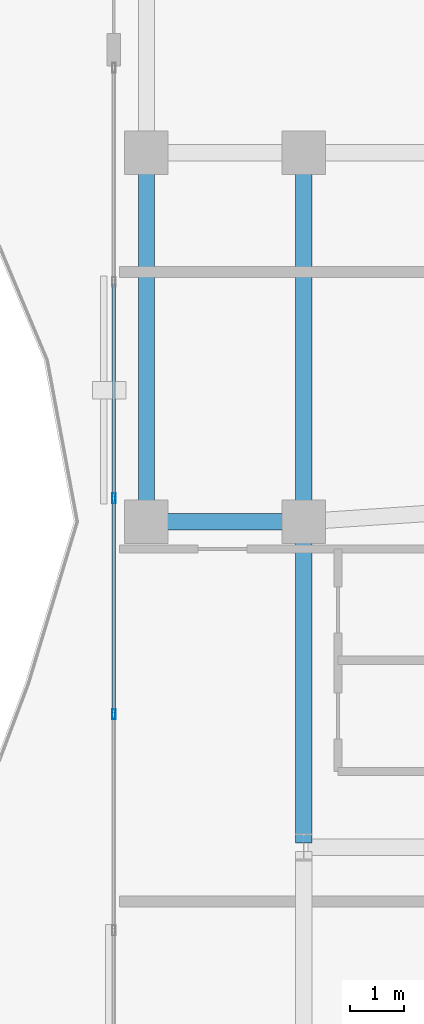
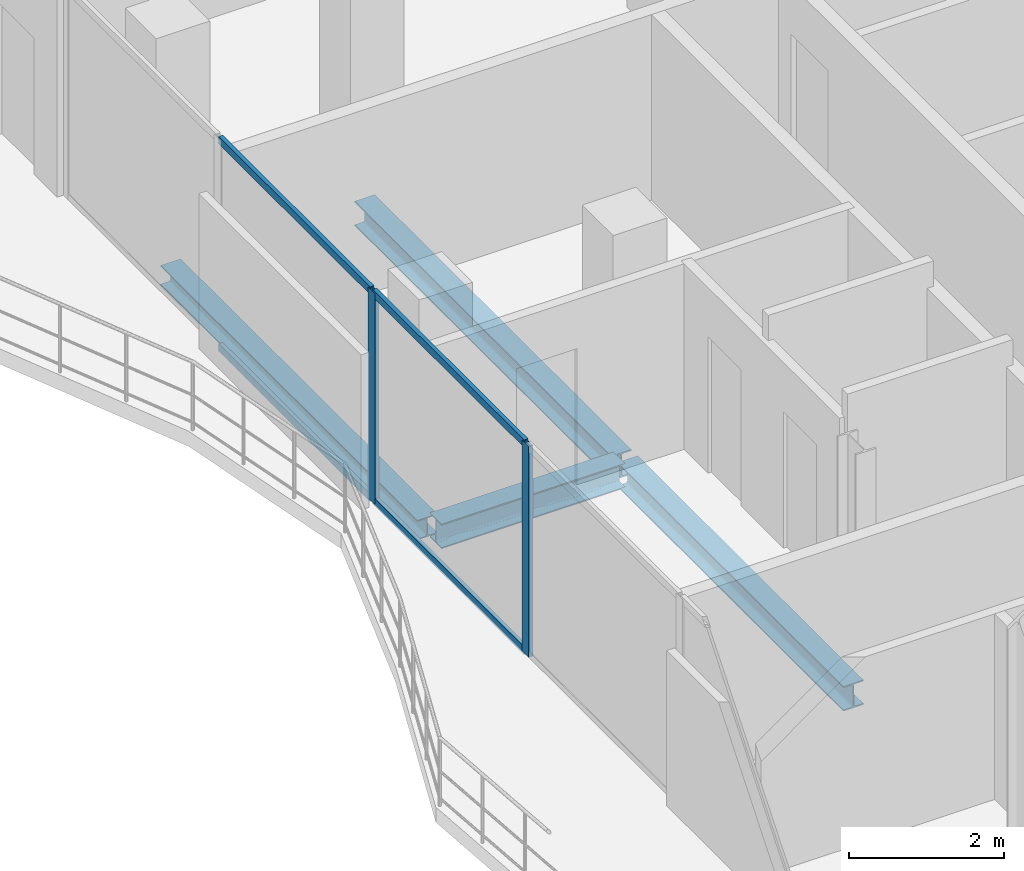
# One storey, part 7 of 23: 6 members, 4 beams, 1 element without a shape of its own.
"""IFC4 building model written with IfcOpenShell, lengths in metres."""

from ifc_helpers import new_model, si_unit, direction, frame, origin, origin_2d, place, context, subcontext, project, spatial, hollow_rectangle, i_section, extrude, material, layer, layer_set, material_profile, profile_set, type_object, element, aggregate, save


model = new_model("IFC4")

# Units and contexts
model_context = context("Model", 3, precision=1e-05, world=origin(), true_north=direction((0.0, 1.0)))
body_context = subcontext(model_context, "Body", "Model", "MODEL_VIEW")
ifc_project = project(units=[si_unit("LENGTHUNIT", "METRE"), si_unit("AREAUNIT", "SQUARE_METRE"), si_unit("VOLUMEUNIT", "CUBIC_METRE"), si_unit("PLANEANGLEUNIT", "RADIAN"), si_unit("MASSUNIT", "GRAM", prefix="KILO")], contexts=[model_context])

# Site, building, storey
site_placement = place(None, origin())
site = spatial("IfcSite", under=ifc_project, at=site_placement, CompositionType="ELEMENT")
building_placement = place(site_placement, origin())
building = spatial("IfcBuilding", under=site, at=building_placement, Name="Catumbela Crestline Tower", CompositionType="ELEMENT")
storey_placement = place(building_placement, frame((0.0, 0.0, 165.0)))
storey = spatial("IfcBuildingStorey", under=building, at=storey_placement, Name="L42", CompositionType="ELEMENT", Elevation=165.0)

# Beams
ifc_material_1 = material(Name="Structural steel S355J2", Category="steel")
ifc_material_profile_1 = material_profile(ifc_material_1, i_section(OverallWidth=0.3, OverallDepth=0.39, WebThickness=0.011, FlangeThickness=0.019, FilletRadius=0.027, at=origin_2d()), Name="HEA 400")
ifc_profile_set_1 = profile_set([ifc_material_profile_1], Name="Structural steel S355J2")
beam_type_1 = type_object("IfcBeamType", Name="BG-HEA400", PredefinedType="BEAM", material=ifc_profile_set_1)
beam_1_placement = place(storey_placement, frame((5.68, 24.0, -0.455), z_axis=(1.0, 0.0, 0.0), x_axis=(0.0, 1.0, 0.0)))
element("IfcBeam", 1, at=beam_1_placement, inside=storey, type_object=beam_type_1, Name="L42 Beam BM-L42-S01", PredefinedType="BEAM", context=body_context, shape_type="SweptSolid", body=[
    extrude(i_section(OverallWidth=0.3, OverallDepth=0.39, WebThickness=0.011, FlangeThickness=0.019, FilletRadius=0.027, at=origin_2d()), origin(), (0.0, 0.0, 1.0), 2.74),
])
beam_2_placement = place(storey_placement, frame((8.5, 24.08, -0.455), z_axis=(0.0, 1.0, 0.0), x_axis=(-1.0, 0.0, 0.0)))
element("IfcBeam", 2, at=beam_2_placement, inside=storey, type_object=beam_type_1, Name="L42 Beam BM-L42-SN16", PredefinedType="BEAM", context=body_context, shape_type="SweptSolid", body=[
    extrude(i_section(OverallWidth=0.3, OverallDepth=0.39, WebThickness=0.011, FlangeThickness=0.019, FilletRadius=0.027, at=origin_2d()), origin(), (0.0, 0.0, 1.0), 6.64),
])
beam_3_placement = place(storey_placement, frame((8.5, 18.08, -0.455), z_axis=(0.0, 1.0, 0.0), x_axis=(-1.0, 0.0, 0.0)))
element("IfcBeam", 3, at=beam_3_placement, inside=storey, type_object=beam_type_1, Name="L42 Beam BM-L42-WNS39", PredefinedType="BEAM", context=body_context, shape_type="SweptSolid", body=[
    extrude(i_section(OverallWidth=0.3, OverallDepth=0.39, WebThickness=0.011, FlangeThickness=0.019, FilletRadius=0.027, at=origin_2d()), origin(), (0.0, 0.0, 1.0), 5.84),
])

# Curtain wall, members
ifc_material_2 = material(Name="Aluminium alloy AW-6060-T66", Category="aluminium")
ifc_layer = layer(ifc_material_2, 0.18, Name="Aluminium alloy AW-6060-T66")
ifc_layer_set = layer_set([ifc_layer], Name="Aluminium alloy AW-6060-T66")
curtain_wall_type = type_object("IfcCurtainWallType", Name="CWU-Z3", PredefinedType="USERDEFINED", material=ifc_layer_set)
curtain_wall_placement = place(storey_placement, origin())
curtain_wall = element("IfcCurtainWall", 4, at=curtain_wall_placement, inside=storey, type_object=curtain_wall_type, Name="L42 Unitised Curtain Wall CW-L42-E9S2", ObjectType="UNITISED", PredefinedType="USERDEFINED")
ifc_material_profile_2 = material_profile(ifc_material_2, hollow_rectangle(XDim=0.065, YDim=0.18, WallThickness=0.004, at=origin_2d()), Name="ALU 180x65x4")
ifc_profile_set_2 = profile_set([ifc_material_profile_2], Name="Aluminium alloy AW-6060-T66")
member_type_1 = type_object("IfcMemberType", Name="MUL-180X65", PredefinedType="MULLION", material=ifc_profile_set_2)
member_1_placement = place(storey_placement, frame((5.0, 24.4333, 0.0), z_axis=(0.0, 0.0, 1.0), x_axis=(1.0, 0.0, 0.0)))
member_1 = element("IfcMember", 5, at=member_1_placement, type_object=member_type_1, Name="CWU-Z3 mullion 3", PredefinedType="MULLION", context=body_context, shape_type="SweptSolid", body=[
    extrude(hollow_rectangle(XDim=0.065, YDim=0.18, WallThickness=0.004, at=origin_2d()), origin(), (0.0, 0.0, 1.0), 3.33),
])
member_2_placement = place(storey_placement, frame((5.0, 20.45, 0.0), z_axis=(0.0, 0.0, 1.0), x_axis=(1.0, 0.0, 0.0)))
member_2 = element("IfcMember", 6, at=member_2_placement, type_object=member_type_1, Name="CWU-Z3 mullion 4", PredefinedType="MULLION", context=body_context, shape_type="SweptSolid", body=[
    extrude(hollow_rectangle(XDim=0.065, YDim=0.18, WallThickness=0.004, at=origin_2d()), origin(), (0.0, 0.0, 1.0), 3.33),
])

# Beam
ifc_material_profile_3 = material_profile(ifc_material_1, i_section(OverallWidth=0.3, OverallDepth=0.31, WebThickness=0.009, FlangeThickness=0.0155, FilletRadius=0.027, at=origin_2d()), Name="HEA 320")
ifc_profile_set_3 = profile_set([ifc_material_profile_3], Name="Structural steel S355J2")
beam_type_2 = type_object("IfcBeamType", Name="BS-HEA320", PredefinedType="SPANDREL", material=ifc_profile_set_3)
beam_4_placement = place(storey_placement, frame((5.6, 24.08, -0.415), z_axis=(0.0, 1.0, 0.0), x_axis=(-1.0, 0.0, 0.0)))
element("IfcBeam", 7, at=beam_4_placement, inside=storey, type_object=beam_type_2, Name="L42 Spandrel SP-L42-SN14", PredefinedType="SPANDREL", context=body_context, shape_type="SweptSolid", body=[
    extrude(i_section(OverallWidth=0.3, OverallDepth=0.31, WebThickness=0.009, FlangeThickness=0.0155, FilletRadius=0.027, at=origin_2d()), origin(), (0.0, 0.0, 1.0), 6.64),
])

# Member
ifc_material_profile_4 = material_profile(ifc_material_2, hollow_rectangle(XDim=0.06, YDim=0.12, WallThickness=0.0035, at=origin_2d()), Name="ALU 120x60x3.5")
ifc_profile_set_4 = profile_set([ifc_material_profile_4], Name="Aluminium alloy AW-6060-T66")
member_type_2 = type_object("IfcMemberType", Name="TRN-120X60", PredefinedType="USERDEFINED", material=ifc_profile_set_4)
member_3_placement = place(storey_placement, frame((5.0, 28.3842, 0.03), z_axis=(0.0, -1.0, 0.0), x_axis=(1.0, 0.0, 0.0)))
member_3 = element("IfcMember", 8, at=member_3_placement, type_object=member_type_2, Name="CWU-Z3 transom 2.1", ObjectType="TRANSOM", PredefinedType="USERDEFINED", context=body_context, shape_type="SweptSolid", body=[
    extrude(hollow_rectangle(XDim=0.06, YDim=0.12, WallThickness=0.0035, at=origin_2d()), origin(), (0.0, 0.0, 1.0), 3.9184),
])

member_4_placement = place(storey_placement, frame((5.0, 28.3842, 3.3), z_axis=(0.0, -1.0, 0.0), x_axis=(1.0, 0.0, 0.0)))
member_4 = element("IfcMember", 9, at=member_4_placement, type_object=member_type_2, Name="CWU-Z3 transom 2.2", ObjectType="TRANSOM", PredefinedType="USERDEFINED", context=body_context, shape_type="SweptSolid", body=[
    extrude(hollow_rectangle(XDim=0.06, YDim=0.12, WallThickness=0.0035, at=origin_2d()), origin(), (0.0, 0.0, 1.0), 3.9184),
])

member_5_placement = place(storey_placement, frame((5.0, 24.4008, 0.03), z_axis=(0.0, -1.0, 0.0), x_axis=(1.0, 0.0, 0.0)))
member_5 = element("IfcMember", 10, at=member_5_placement, type_object=member_type_2, Name="CWU-Z3 transom 3.1", ObjectType="TRANSOM", PredefinedType="USERDEFINED", context=body_context, shape_type="SweptSolid", body=[
    extrude(hollow_rectangle(XDim=0.06, YDim=0.12, WallThickness=0.0035, at=origin_2d()), origin(), (0.0, 0.0, 1.0), 3.9183),
])

member_6_placement = place(storey_placement, frame((5.0, 24.4008, 3.3), z_axis=(0.0, -1.0, 0.0), x_axis=(1.0, 0.0, 0.0)))
member_6 = element("IfcMember", 11, at=member_6_placement, type_object=member_type_2, Name="CWU-Z3 transom 3.2", ObjectType="TRANSOM", PredefinedType="USERDEFINED", context=body_context, shape_type="SweptSolid", body=[
    extrude(hollow_rectangle(XDim=0.06, YDim=0.12, WallThickness=0.0035, at=origin_2d()), origin(), (0.0, 0.0, 1.0), 3.9183),
])

aggregate(curtain_wall, [member_1, member_2, member_3, member_4, member_5, member_6])

save(model, "model.ifc")
